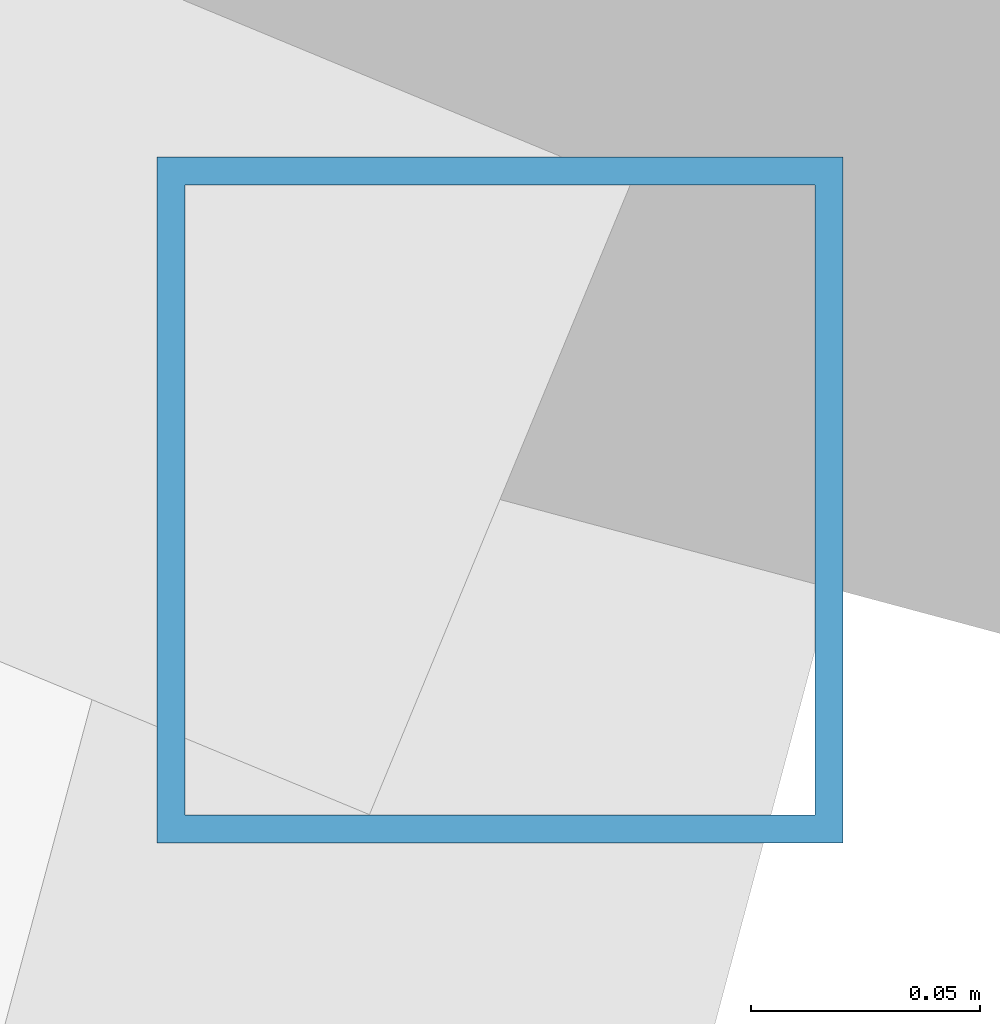
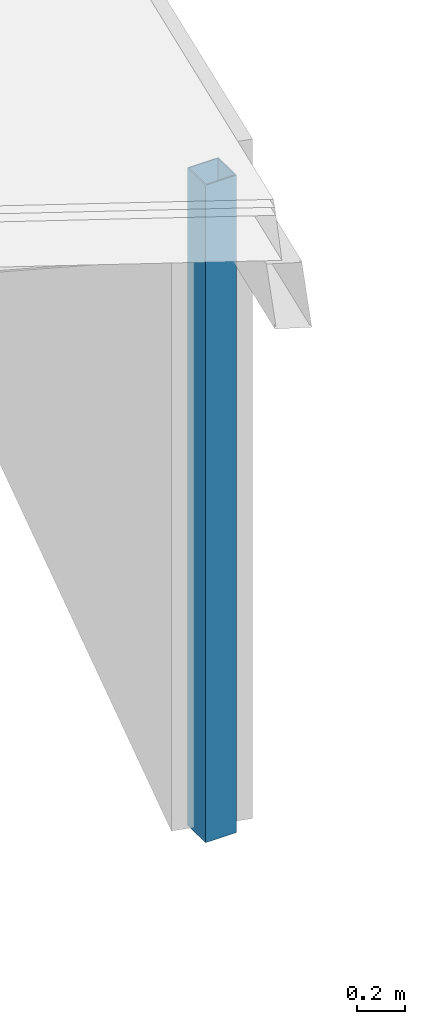
# One storey, part 41 of 185: 1 member.
"""IFC4 building model written with IfcOpenShell, lengths in metres."""

from ifc_helpers import new_model, si_unit, direction, frame, origin, origin_2d, place, context, subcontext, project, spatial, hollow_rectangle, extrude, material, material_profile, profile_set, type_object, element, save


model = new_model("IFC4")

# Units and contexts
model_context = context("Model", 3, precision=1e-05, world=origin(), true_north=direction((0.0, 1.0)))
body_context = subcontext(model_context, "Body", "Model", "MODEL_VIEW")
ifc_project = project(units=[si_unit("LENGTHUNIT", "METRE"), si_unit("AREAUNIT", "SQUARE_METRE"), si_unit("VOLUMEUNIT", "CUBIC_METRE"), si_unit("PLANEANGLEUNIT", "RADIAN"), si_unit("MASSUNIT", "GRAM", prefix="KILO")], contexts=[model_context])

# Site, building, storey
site_placement = place(None, origin())
site = spatial("IfcSite", under=ifc_project, at=site_placement, CompositionType="ELEMENT")
building_placement = place(site_placement, origin())
building = spatial("IfcBuilding", under=site, at=building_placement, Name="Vondelvale Polytechnic", CompositionType="ELEMENT")
storey_placement = place(building_placement, frame((0.0, 0.0, 9.60009765625)))
storey = spatial("IfcBuildingStorey", under=building, at=storey_placement, Name="L02", CompositionType="ELEMENT", Elevation=9.60009765625)

# Member
ifc_material = material(Name="Steel C350L0 (fy = 350 MPa)", Category="steel")
ifc_material_profile = material_profile(ifc_material, hollow_rectangle(XDim=0.14990234375, YDim=0.14990234375, WallThickness=0.006103515625, at=origin_2d()), Name="150x150x6.0SHS")
ifc_profile_set = profile_set([ifc_material_profile], Name="Steel C350L0 (fy = 350 MPa)")
member_type = type_object("IfcMemberType", Name="ROOF TRUSS POST 150SHS", PredefinedType="POST", material=ifc_profile_set)
member_placement = place(storey_placement, frame((90.09423828125, 27.5673828125, 0.0), z_axis=(0.0, 0.0, 1.0), x_axis=(1.0, 0.0, 0.0)))
element("IfcMember", 1, at=member_placement, inside=storey, type_object=member_type, Name="Ring step outer roof post 16", PredefinedType="POST", context=body_context, shape_type="SweptSolid", body=[
    extrude(hollow_rectangle(XDim=0.14990234375, YDim=0.14990234375, WallThickness=0.006103515625, at=origin_2d()), origin(), (0.0, 0.0, 1.0), 3.339599609375),
])

save(model, "model.ifc")
